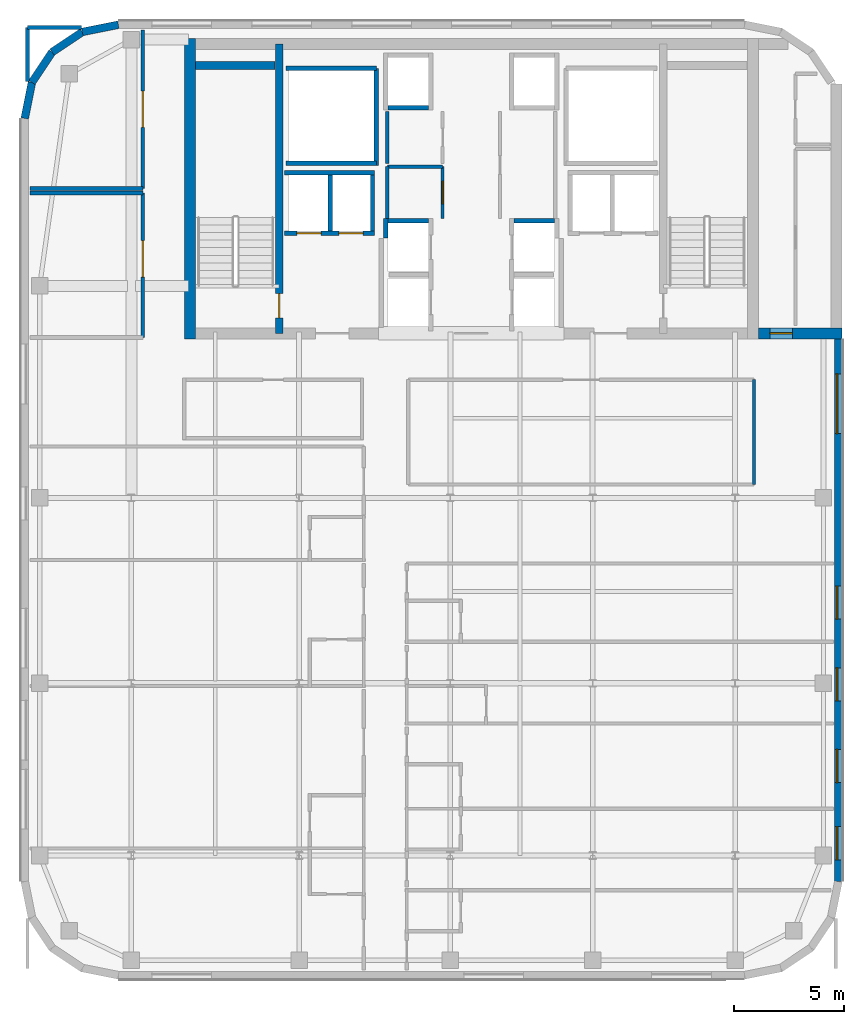
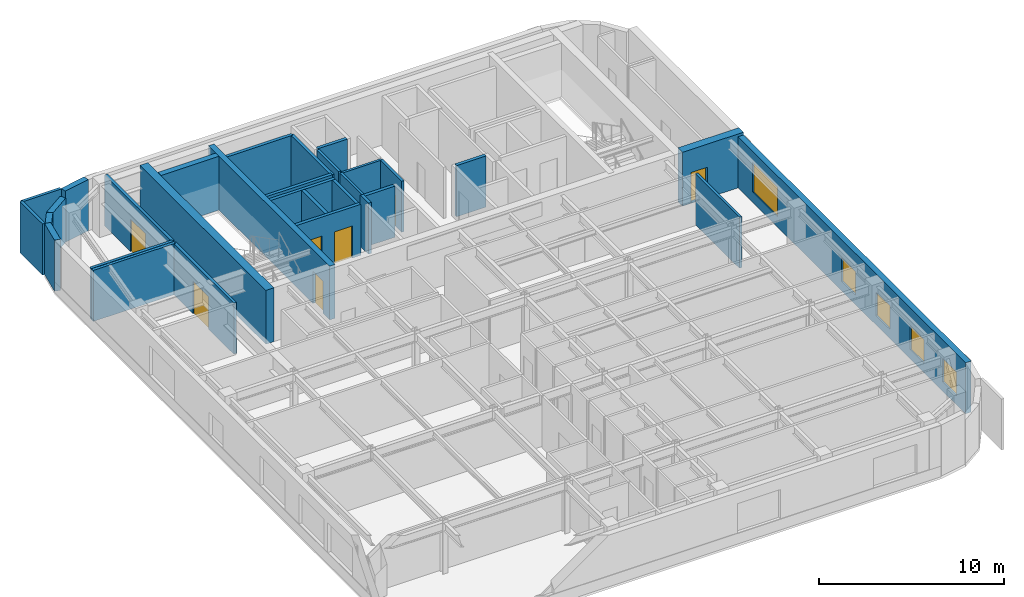
# One storey, part 6 of 12: 31 walls, 7 doors, 5 windows, 12 openings.
"""IFC4 building model written with IfcOpenShell, lengths in metres."""

import ifcopenshell
import ifcopenshell.guid

model = None  # the IFC model being written
_history = None  # IfcOwnerHistory: only IFC2X3 demands one
_inside = {}  # id of a spatial element -> (the spatial element, [elements in it])
_under = {}  # id of a project, library or spatial element -> (it, [spatial elements below it])
_declared = {}  # id of a project -> (the project, [libraries it declares])
_typed = {}  # id of a type object -> (the type object, [elements of that type])
_made_of = {}  # id of a material, layer set ... -> (it, [elements and type objects made of it])


def new_model(schema):
    """Start an empty IFC model of exactly this schema.

    Asked for "IFC4X3", IfcOpenShell would pick the latest addendum, in which some entities
    have other attributes; the version numbers below select the first issue.
    IFC2X3 requires an IfcOwnerHistory on every rooted entity: one is made here for all.
    """
    global model, _history
    if schema == "IFC4X3":
        model = ifcopenshell.file(schema_version=(4, 3, 0, 0))
    else:
        model = ifcopenshell.file(schema=schema)
    _inside.clear()
    _under.clear()
    _declared.clear()
    _typed.clear()
    _made_of.clear()
    _history = None
    if model.schema == "IFC2X3":
        org = make("IfcOrganization", Name="unknown")
        user = make(
            "IfcPersonAndOrganization",
            ThePerson=make("IfcPerson", FamilyName="unknown"),
            TheOrganization=org,
        )
        app = make(
            "IfcApplication",
            ApplicationDeveloper=org,
            Version="unknown",
            ApplicationFullName="unknown",
            ApplicationIdentifier="unknown",
        )
        _history = make(
            "IfcOwnerHistory",
            OwningUser=user,
            OwningApplication=app,
            ChangeAction="ADDED",
            CreationDate=0,
        )
    return model


def make(cls, **values):
    """One entity of the class cls with the attributes given. An attribute that is None is left unset."""
    return model.create_entity(
        cls, **{name: value for name, value in values.items() if value is not None}
    )


def rooted(cls, **values):
    """An entity with a GlobalId (a new one), such as an element, a storey or a relation."""
    return make(cls, GlobalId=ifcopenshell.guid.new(), OwnerHistory=_history, **values)


def si_unit(unit_type, name, prefix=None):
    """IfcSIUnit, for example si_unit("LENGTHUNIT", "METRE", prefix="MILLI")."""
    return make("IfcSIUnit", UnitType=unit_type, Prefix=prefix, Name=name)


def assignment(units):
    """IfcUnitAssignment: the units of a project."""
    return None if units is None else make("IfcUnitAssignment", Units=units)


def point(xyz):
    """IfcCartesianPoint."""
    return None if xyz is None else make("IfcCartesianPoint", Coordinates=xyz)


def direction(xyz):
    """IfcDirection."""
    return None if xyz is None else make("IfcDirection", DirectionRatios=xyz)


def frame(location, z_axis=None, x_axis=None):
    """IfcAxis2Placement3D, a coordinate frame: its origin and axes. An axis left out is left unset."""
    return make(
        "IfcAxis2Placement3D",
        Location=point(location),
        Axis=direction(z_axis),
        RefDirection=direction(x_axis),
    )


def frame_2d(location, x_axis=None):
    """IfcAxis2Placement2D, a coordinate frame in the plane: its origin and x axis."""
    return make(
        "IfcAxis2Placement2D", Location=point(location), RefDirection=direction(x_axis)
    )


def origin():
    """The frame at (0, 0, 0) with its axes left unset."""
    return frame((0.0, 0.0, 0.0))


def place(relative_to, where):
    """IfcLocalPlacement: puts the frame where relative to a parent placement (None: the world)."""
    return make(
        "IfcLocalPlacement", PlacementRelTo=relative_to, RelativePlacement=where
    )


def context(
    kind, dimensions, precision=None, world=None, true_north=None, identifier=None
):
    """IfcGeometricRepresentationContext, for example the 3D "Model" context."""
    return make(
        "IfcGeometricRepresentationContext",
        ContextIdentifier=identifier,
        ContextType=kind,
        CoordinateSpaceDimension=dimensions,
        Precision=precision,
        WorldCoordinateSystem=world,
        TrueNorth=true_north,
    )


def subcontext(parent, identifier, kind, view, scale=None):
    """IfcGeometricRepresentationSubContext, for example "Body" below "Model"."""
    return make(
        "IfcGeometricRepresentationSubContext",
        ContextIdentifier=identifier,
        ContextType=kind,
        ParentContext=parent,
        TargetScale=scale,
        TargetView=view,
    )


def project(units=None, contexts=None):
    """IfcProject with its units and contexts."""
    return rooted(
        "IfcProject",
        Name="project",
        RepresentationContexts=contexts,
        UnitsInContext=assignment(units),
    )


def spatial(cls, under=None, at=None, **own):
    """A site, building, storey or space (cls), placed at a placement, below another one or the project."""
    s = rooted(cls, ObjectPlacement=at, **own)
    if under is not None:
        _under.setdefault(under.id(), (under, []))[1].append(s)
    return s


def profile(cls, at=None, kind="AREA", **sizes):
    """A parametric profile (cls). Its sizes go by their IFC names, for example OverallWidth=200.0."""
    return make(cls, ProfileType=kind, Position=at, **sizes)


def rectangle(**sizes):
    """IfcRectangleProfileDef."""
    return profile("IfcRectangleProfileDef", **sizes)


def extrude(swept, where, along, depth):
    """IfcExtrudedAreaSolid: the profile swept, set in the frame where, extruded along a direction by depth."""
    return make(
        "IfcExtrudedAreaSolid",
        SweptArea=swept,
        Position=where,
        ExtrudedDirection=direction(along),
        Depth=depth,
    )


def shape(context_of_items, identifier, shape_type, items):
    """IfcShapeRepresentation: the items that make up one representation, for example the "Body"."""
    return make(
        "IfcShapeRepresentation",
        ContextOfItems=context_of_items,
        RepresentationIdentifier=identifier,
        RepresentationType=shape_type,
        Items=items,
    )


def source(mapping_origin, context_of_items, identifier, shape_type, items):
    """IfcRepresentationMap: a shape defined once, which mapped items show again and again."""
    return make(
        "IfcRepresentationMap",
        MappingOrigin=mapping_origin,
        MappedRepresentation=shape(context_of_items, identifier, shape_type, items),
    )


def transform(
    local_origin,
    x_axis=None,
    y_axis=None,
    z_axis=None,
    scale=None,
    scale2=None,
    scale3=None,
    uniform=True,
):
    """IfcCartesianTransformationOperator3D, or its non-uniform kind. x_axis, y_axis, z_axis: its Axis1, 2, 3."""
    if uniform:
        return make(
            "IfcCartesianTransformationOperator3D",
            Axis1=direction(x_axis),
            Axis2=direction(y_axis),
            LocalOrigin=point(local_origin),
            Scale=scale,
            Axis3=direction(z_axis),
        )
    return make(
        "IfcCartesianTransformationOperator3DnonUniform",
        Axis1=direction(x_axis),
        Axis2=direction(y_axis),
        LocalOrigin=point(local_origin),
        Scale=scale,
        Axis3=direction(z_axis),
        Scale2=scale2,
        Scale3=scale3,
    )


def mapped(mapping_source, mapping_target):
    """IfcMappedItem: shows the shape of a source again, moved by a transform."""
    return make(
        "IfcMappedItem", MappingSource=mapping_source, MappingTarget=mapping_target
    )


def material(Name=None, Category=None):
    """IfcMaterial."""
    return make("IfcMaterial", Name=Name, Category=Category)


def layer(
    of_material, thickness, ventilated=None, Name=None, Category=None, Priority=None
):
    """IfcMaterialLayer: one layer of a wall or slab, of a material (None: an air gap)."""
    return make(
        "IfcMaterialLayer",
        Material=of_material,
        LayerThickness=thickness,
        IsVentilated=ventilated,
        Name=Name,
        Category=Category,
        Priority=Priority,
    )


def layer_set(layers, Name=None):
    """IfcMaterialLayerSet."""
    return make("IfcMaterialLayerSet", MaterialLayers=layers, LayerSetName=Name)


def made_of(thing, what):
    """Note that an element or type object is made of a material, layer set ...; save() writes the relation."""
    if what is not None:
        _made_of.setdefault(what.id(), (what, []))[1].append(thing)
    return thing


def type_object(cls, material=None, **own):
    """A type object (cls), such as IfcWallType, which elements share."""
    return made_of(rooted(cls, **own), material)


def type_shapes(of_type, sources):
    """Give a type object the sources (RepresentationMaps) that its elements show as mapped items."""
    of_type.RepresentationMaps = sources


def element(
    cls,
    number,
    at=None,
    inside=None,
    cuts=None,
    type_object=None,
    material=None,
    context=None,
    identifier="Body",
    shape_type=None,
    held_by="IfcProductDefinitionShape",
    body=None,
    shapes=None,
    **own,
):
    """One element of the class cls, such as IfcWall. Its Tag is "e" and its number.

    at: its placement. inside: the storey or other place that contains it. cuts: it is an
    opening in that element (IfcRelVoidsElement). A single representation is given by context,
    identifier, shape_type and body (its items); several are given by shapes. held_by: the class
    of the entity that holds the representations. save() writes the other relations.
    """
    e = rooted(cls, Tag="e%d" % number, ObjectPlacement=at, **own)
    if body is not None:
        shapes = [shape(context, identifier, shape_type, body)]
    if shapes is not None:
        e.Representation = make(held_by, Representations=shapes)
    if inside is not None:
        _inside.setdefault(inside.id(), (inside, []))[1].append(e)
    if cuts is not None:
        rooted(
            "IfcRelVoidsElement", RelatingBuildingElement=cuts, RelatedOpeningElement=e
        )
    if type_object is not None:
        _typed.setdefault(type_object.id(), (type_object, []))[1].append(e)
    return made_of(e, material)


def fill(opening, filler):
    """IfcRelFillsElement: the door or window that sits in an opening."""
    return rooted(
        "IfcRelFillsElement",
        RelatingOpeningElement=opening,
        RelatedBuildingElement=filler,
    )


def aggregate(whole, parts):
    """IfcRelAggregates: a whole, such as a stair, and the parts it consists of."""
    return rooted("IfcRelAggregates", RelatingObject=whole, RelatedObjects=parts)


def save(model, path):
    """Write the relations noted so far, then the file.

    IfcRelAggregates (storeys below a building ...), IfcRelContainedInSpatialStructure (elements
    in a storey), IfcRelDefinesByType, IfcRelAssociatesMaterial and IfcRelDeclares: one each for
    every whole, place, type object, material and project.
    """
    for whole, parts in _under.values():
        aggregate(whole, parts)
    for where, things in _inside.values():
        rooted(
            "IfcRelContainedInSpatialStructure",
            RelatedElements=things,
            RelatingStructure=where,
        )
    for kind, things in _typed.values():
        rooted("IfcRelDefinesByType", RelatedObjects=things, RelatingType=kind)
    for what, things in _made_of.values():
        rooted("IfcRelAssociatesMaterial", RelatedObjects=things, RelatingMaterial=what)
    for by, libraries in _declared.values():
        rooted("IfcRelDeclares", RelatingContext=by, RelatedDefinitions=libraries)
    model.write(path)


model = new_model("IFC4")

# Units and contexts
model_context = context("Model", 3, precision=1e-05, world=origin(), true_north=direction((0.0, 1.0)))
body_context = subcontext(model_context, "Body", "Model", "MODEL_VIEW")
ifc_project = project(units=[si_unit("LENGTHUNIT", "METRE"), si_unit("AREAUNIT", "SQUARE_METRE"), si_unit("VOLUMEUNIT", "CUBIC_METRE"), si_unit("PLANEANGLEUNIT", "RADIAN"), si_unit("MASSUNIT", "GRAM", prefix="KILO")], contexts=[model_context])

# Site, building, storey
site_placement = place(None, origin())
site = spatial("IfcSite", under=ifc_project, at=site_placement, CompositionType="ELEMENT")
building_placement = place(site_placement, origin())
building = spatial("IfcBuilding", under=site, at=building_placement, Name="Tolvann Quenvar Hotel", CompositionType="ELEMENT")
storey_placement = place(building_placement, frame((0.0, 0.0, 213.25)))
storey = spatial("IfcBuildingStorey", under=building, at=storey_placement, Name="L56", CompositionType="ELEMENT", Elevation=213.25)

# Wall
ifc_material_1 = material(Name="Concrete N50 (50 MPa)", Category="concrete")
ifc_layer_1 = layer(ifc_material_1, 0.5)
ifc_layer_set_1 = layer_set([ifc_layer_1], Name="Concrete N50 (50 MPa)")
wall_type_1 = type_object("IfcWallType", Name="WALL_CORE_500", PredefinedType="SHEAR", material=ifc_layer_set_1)
wall_1_placement = place(storey_placement, frame((10.25, 31.60009765625, 0.0), z_axis=(0.0, 0.0, 1.0), x_axis=(0.0, 1.0, 0.0)))
element("IfcWall", 1, at=wall_1_placement, inside=storey, type_object=wall_type_1, Name="Rear Core W Shear Wall (L56)", PredefinedType="SHEAR", context=body_context, shape_type="SweptSolid", body=[
    extrude(rectangle(XDim=13.599853515625, YDim=0.5, at=frame_2d((6.7998046875, 0.0))), origin(), (0.0, 0.0, 1.0), 3.550048828125),
])

# Wall, opening, door
wall_2_placement = place(storey_placement, frame((36.0, 31.85009765625, 0.0), z_axis=(0.0, 0.0, 1.0), x_axis=(1.0, 0.0, 0.0)))
wall_2 = element("IfcWall", 2, at=wall_2_placement, inside=storey, type_object=wall_type_1, Name="Core East Annex Shear Wall ANN-S (L56)", PredefinedType="SHEAR", context=body_context, shape_type="SweptSolid", body=[
    extrude(rectangle(XDim=3.800048828125, YDim=0.5, at=frame_2d((1.89990234375, 0.0))), origin(), (0.0, 0.0, 1.0), 3.550048828125),
])
opening_1_placement = place(wall_2_placement, frame((1.5400390625, 0.0, 0.0), z_axis=(0.0, 0.0, 1.0), x_axis=(-1.0, 0.0, 0.0)))
opening_1 = element("IfcOpeningElement", 3, at=opening_1_placement, cuts=wall_2, Name="Opening HD-01", PredefinedType="OPENING", context=body_context, shape_type="SweptSolid", body=[
    extrude(rectangle(XDim=1.02001953125, YDim=2.030029296875, at=frame_2d((0.510009765625, 1.01513671875))), frame((0.0, 0.260009765625, 0.0), z_axis=(0.0, -1.0, 0.0), x_axis=(1.0, 0.0, 0.0)), (0.0, 0.0, 1.0), 0.52001953125),
])
ifc_material_2 = material(Name="Pressed galvanised steel fire-rated door set", Category="steel")
door_type_1 = type_object("IfcDoorType", Name="DOOR_BOH_1020", OperationType="NOTDEFINED", PredefinedType="DOOR", material=ifc_material_2)
shared_shape_1 = source(origin(), body_context, "Body", "SweptSolid", [
    extrude(rectangle(XDim=1.02001953125, YDim=2.030029296875, at=frame_2d((0.510009765625, 1.01513671875))), frame((0.0, 0.02490234375, 0.0), z_axis=(0.0, -1.0, 0.0), x_axis=(1.0, 0.0, 0.0)), (0.0, 0.0, 1.0), 0.050048828125),
])
type_shapes(door_type_1, [shared_shape_1])
door_1_placement = place(opening_1_placement, origin())
door_1 = element("IfcDoor", 4, at=door_1_placement, inside=storey, type_object=door_type_1, Name="Housekeeping Annex Fire Door (L56)", OperationType="SINGLE_SWING_LEFT", OverallHeight=2.030029296875, OverallWidth=1.02001953125, PredefinedType="DOOR", context=body_context, shape_type="MappedRepresentation", body=[
    mapped(shared_shape_1, transform((0.0, 0.0, 0.0), x_axis=(1.0, 0.0, 0.0), y_axis=(0.0, 1.0, 0.0), z_axis=(0.0, 0.0, 1.0), scale=1.0)),
])
fill(opening_1, door_1)

ifc_material_3 = material(Name="Concrete S65 (65 MPa)", Category="concrete")
ifc_layer_2 = layer(ifc_material_3, 0.35009765625)
ifc_layer_set_2 = layer_set([ifc_layer_2], Name="Concrete S65 (65 MPa)")
wall_type_2 = type_object("IfcWallType", Name="WALL_CORE_INT_350", PredefinedType="SHEAR", material=ifc_layer_set_2)
wall_3_placement = place(storey_placement, frame((14.300048828125, 31.85009765625, 0.0), z_axis=(0.0, 0.0, 1.0), x_axis=(0.0, 1.0, 0.0)))
wall_3 = element("IfcWall", 5, at=wall_3_placement, inside=storey, type_object=wall_type_2, Name="Core Internal Web Shear Wall WEB-W (L56)", PredefinedType="SHEAR", context=body_context, shape_type="SweptSolid", body=[
    extrude(rectangle(XDim=13.099853515625, YDim=0.35009765625, at=frame_2d((6.5498046875, 0.0))), origin(), (0.0, 0.0, 1.0), 3.550048828125),
])
opening_2_placement = place(wall_3_placement, frame((0.699951171875, 0.0, 0.0)))
opening_2 = element("IfcOpeningElement", 6, at=opening_2_placement, cuts=wall_3, Name="Opening FD-120", PredefinedType="OPENING", context=body_context, shape_type="SweptSolid", body=[
    extrude(rectangle(XDim=1.10009765625, YDim=2.1201171875, at=frame_2d((0.550048828125, 1.06005859375))), frame((0.0, 0.18505859375, 0.0), z_axis=(0.0, -1.0, 0.0), x_axis=(1.0, 0.0, 0.0)), (0.0, 0.0, 1.0), 0.3701171875),
])
door_type_2 = type_object("IfcDoorType", Name="DOOR_FIRE_STAIR_1100", OperationType="NOTDEFINED", PredefinedType="DOOR", material=ifc_material_2)
shared_shape_2 = source(origin(), body_context, "Body", "SweptSolid", [
    extrude(rectangle(XDim=1.10009765625, YDim=2.1201171875, at=frame_2d((0.550048828125, 1.06005859375))), frame((0.0, 0.02490234375, 0.0), z_axis=(0.0, -1.0, 0.0), x_axis=(1.0, 0.0, 0.0)), (0.0, 0.0, 1.0), 0.050048828125),
])
type_shapes(door_type_2, [shared_shape_2])
door_2_placement = place(opening_2_placement, origin())
door_2 = element("IfcDoor", 7, at=door_2_placement, inside=storey, type_object=door_type_2, Name="Exit Stair ST-C1 Fire Door (L56)", OperationType="SINGLE_SWING_LEFT", OverallHeight=2.1201171875, OverallWidth=1.10009765625, PredefinedType="DOOR", context=body_context, shape_type="MappedRepresentation", body=[
    mapped(shared_shape_2, transform((0.0, 0.0, 0.0), x_axis=(1.0, 0.0, 0.0), y_axis=(0.0, 1.0, 0.0), z_axis=(0.0, 0.0, 1.0), scale=1.0)),
])
fill(opening_2, door_2)

# Wall
wall_4_placement = place(storey_placement, frame((10.52001953125, 43.97509765625, 0.0), z_axis=(0.0, 0.0, 1.0), x_axis=(1.0, 0.0, 0.0)))
element("IfcWall", 8, at=wall_4_placement, inside=storey, type_object=wall_type_2, Name="Core Stair North Closing Shear Wall STC1-N (L56)", PredefinedType="SHEAR", context=body_context, shape_type="SweptSolid", body=[
    extrude(rectangle(XDim=3.60009765625, YDim=0.35009765625, at=frame_2d((1.800048828125, 0.0))), origin(), (0.0, 0.0, 1.0), 3.550048828125),
])

# Wall, openings, windows
ifc_material_4 = material(Name="Kiln-fired red and buff architectural clay brickwork and terracotta masonry", Category="masonry")
ifc_layer_3 = layer(ifc_material_4, 0.35009765625)
ifc_layer_set_3 = layer_set([ifc_layer_3], Name="Kiln-fired red and buff architectural clay brickwork and terracotta masonry")
wall_type_3 = type_object("IfcWallType", Name="WALL_EXT_BRICK_350", PredefinedType="SOLIDWALL", material=ifc_layer_set_3)
wall_5_placement = place(storey_placement, frame((39.625, 7.01708984375, 0.0), z_axis=(0.0, 0.0, 1.0), x_axis=(0.0, 1.0, 0.0)))
wall_5 = element("IfcWall", 9, at=wall_5_placement, inside=storey, type_object=wall_type_3, Name="Exterior Chicago Brick Wall L56-E09", PredefinedType="SOLIDWALL", context=body_context, shape_type="SweptSolid", body=[
    extrude(rectangle(XDim=24.578857421875, YDim=0.35009765625, at=frame_2d((12.28955078125, 0.0))), origin(), (0.0, 0.0, 1.0), 3.3701171875),
])
opening_3_placement = place(wall_5_placement, frame((20.291015625, 0.0, 0.679931640625)))
opening_3 = element("IfcOpeningElement", 10, at=opening_3_placement, cuts=wall_5, Name="Opening W-04", PredefinedType="OPENING", context=body_context, shape_type="SweptSolid", body=[
    extrude(rectangle(XDim=2.699951171875, YDim=1.949951171875, at=frame_2d((1.35009765625, 0.97509765625))), frame((0.0, 0.18505859375, 0.0), z_axis=(0.0, -1.0, 0.0), x_axis=(1.0, 0.0, 0.0)), (0.0, 0.0, 1.0), 0.3701171875),
])
opening_4_placement = place(wall_5_placement, frame((0.986083984375, 0.0, 0.6201171875)))
opening_4 = element("IfcOpeningElement", 11, at=opening_4_placement, cuts=wall_5, Name="Opening W-08", PredefinedType="OPENING", context=body_context, shape_type="SweptSolid", body=[
    extrude(rectangle(XDim=1.5, YDim=1.550048828125, at=frame_2d((0.75, 0.77490234375))), frame((0.0, 0.18505859375, 0.0), z_axis=(0.0, -1.0, 0.0), x_axis=(1.0, 0.0, 0.0)), (0.0, 0.0, 1.0), 0.3701171875),
])
opening_5_placement = place(wall_5_placement, frame((4.48291015625, 0.0, 0.6201171875)))
opening_5 = element("IfcOpeningElement", 12, at=opening_5_placement, cuts=wall_5, Name="Opening W-08", PredefinedType="OPENING", context=body_context, shape_type="SweptSolid", body=[
    extrude(rectangle(XDim=1.5, YDim=1.550048828125, at=frame_2d((0.75, 0.77490234375))), frame((0.0, 0.18505859375, 0.0), z_axis=(0.0, -1.0, 0.0), x_axis=(1.0, 0.0, 0.0)), (0.0, 0.0, 1.0), 0.3701171875),
])
opening_6_placement = place(wall_5_placement, frame((8.18310546875, 0.0, 0.6201171875)))
opening_6 = element("IfcOpeningElement", 13, at=opening_6_placement, cuts=wall_5, Name="Opening W-08", PredefinedType="OPENING", context=body_context, shape_type="SweptSolid", body=[
    extrude(rectangle(XDim=1.5, YDim=1.550048828125, at=frame_2d((0.75, 0.77490234375))), frame((0.0, 0.18505859375, 0.0), z_axis=(0.0, -1.0, 0.0), x_axis=(1.0, 0.0, 0.0)), (0.0, 0.0, 1.0), 0.3701171875),
])
opening_7_placement = place(wall_5_placement, frame((11.883056640625, 0.0, 0.6201171875)))
opening_7 = element("IfcOpeningElement", 14, at=opening_7_placement, cuts=wall_5, Name="Opening W-08", PredefinedType="OPENING", context=body_context, shape_type="SweptSolid", body=[
    extrude(rectangle(XDim=1.5, YDim=1.550048828125, at=frame_2d((0.75, 0.77490234375))), frame((0.0, 0.18505859375, 0.0), z_axis=(0.0, -1.0, 0.0), x_axis=(1.0, 0.0, 0.0)), (0.0, 0.0, 1.0), 0.3701171875),
])
ifc_material_5 = material(Name="Thermally broken bronze-anodised aluminium frame with double low-E glazing", Category="aluminium")
window_type_1 = type_object("IfcWindowType", Name="WIN_COR_1500x2050", PartitioningType="SINGLE_PANEL", PredefinedType="WINDOW", material=ifc_material_5)
shared_shape_3 = source(origin(), body_context, "Body", "SweptSolid", [
    extrude(rectangle(XDim=1.5, YDim=1.550048828125, at=frame_2d((0.75, 0.77490234375))), frame((0.0, 0.090087890625, 0.0), z_axis=(0.0, -1.0, 0.0), x_axis=(1.0, 0.0, 0.0)), (0.0, 0.0, 1.0), 0.06005859375),
])
type_shapes(window_type_1, [shared_shape_3])
window_1_placement = place(opening_4_placement, origin())
window_1 = element("IfcWindow", 15, at=window_1_placement, inside=storey, type_object=window_type_1, Name="Chicago Window W-08 (EW-L56-E09-WD02)", OverallHeight=1.550048828125, OverallWidth=1.5, PartitioningType="SINGLE_PANEL", PredefinedType="WINDOW", context=body_context, shape_type="MappedRepresentation", body=[
    mapped(shared_shape_3, transform((0.0, 0.0, 0.0), x_axis=(1.0, 0.0, 0.0), y_axis=(0.0, 1.0, 0.0), z_axis=(0.0, 0.0, 1.0), scale=1.0)),
])
fill(opening_4, window_1)
window_2_placement = place(opening_5_placement, origin())
window_2 = element("IfcWindow", 16, at=window_2_placement, inside=storey, type_object=window_type_1, Name="Chicago Window W-08 (EW-L56-E09-WD03)", OverallHeight=1.550048828125, OverallWidth=1.5, PartitioningType="SINGLE_PANEL", PredefinedType="WINDOW", context=body_context, shape_type="MappedRepresentation", body=[
    mapped(shared_shape_3, transform((0.0, 0.0, 0.0), x_axis=(1.0, 0.0, 0.0), y_axis=(0.0, 1.0, 0.0), z_axis=(0.0, 0.0, 1.0), scale=1.0)),
])
fill(opening_5, window_2)
window_3_placement = place(opening_6_placement, origin())
window_3 = element("IfcWindow", 17, at=window_3_placement, inside=storey, type_object=window_type_1, Name="Chicago Window W-08 (EW-L56-E09-WD04)", OverallHeight=1.550048828125, OverallWidth=1.5, PartitioningType="SINGLE_PANEL", PredefinedType="WINDOW", context=body_context, shape_type="MappedRepresentation", body=[
    mapped(shared_shape_3, transform((0.0, 0.0, 0.0), x_axis=(1.0, 0.0, 0.0), y_axis=(0.0, 1.0, 0.0), z_axis=(0.0, 0.0, 1.0), scale=1.0)),
])
fill(opening_6, window_3)
window_4_placement = place(opening_7_placement, origin())
window_4 = element("IfcWindow", 18, at=window_4_placement, inside=storey, type_object=window_type_1, Name="Chicago Window W-08 (EW-L56-E09-WD05)", OverallHeight=1.550048828125, OverallWidth=1.5, PartitioningType="SINGLE_PANEL", PredefinedType="WINDOW", context=body_context, shape_type="MappedRepresentation", body=[
    mapped(shared_shape_3, transform((0.0, 0.0, 0.0), x_axis=(1.0, 0.0, 0.0), y_axis=(0.0, 1.0, 0.0), z_axis=(0.0, 0.0, 1.0), scale=1.0)),
])
fill(opening_7, window_4)
window_type_2 = type_object("IfcWindowType", Name="WIN_STE_2700x2150", PartitioningType="TRIPLE_PANEL_HORIZONTAL", PredefinedType="WINDOW", material=ifc_material_5)
shared_shape_4 = source(origin(), body_context, "Body", "SweptSolid", [
    extrude(rectangle(XDim=2.699951171875, YDim=1.949951171875, at=frame_2d((1.35009765625, 0.97509765625))), frame((0.0, 0.090087890625, 0.0), z_axis=(0.0, -1.0, 0.0), x_axis=(1.0, 0.0, 0.0)), (0.0, 0.0, 1.0), 0.06005859375),
])
type_shapes(window_type_2, [shared_shape_4])
window_5_placement = place(opening_3_placement, origin())
window_5 = element("IfcWindow", 19, at=window_5_placement, inside=storey, type_object=window_type_2, Name="Chicago Window W-04 (EW-L56-E09-W01)", OverallHeight=1.949951171875, OverallWidth=2.699951171875, PartitioningType="TRIPLE_PANEL_HORIZONTAL", PredefinedType="WINDOW", context=body_context, shape_type="MappedRepresentation", body=[
    mapped(shared_shape_4, transform((0.0, 0.0, 0.0), x_axis=(1.0, 0.0, 0.0), y_axis=(0.0, 1.0, 0.0), z_axis=(0.0, 0.0, 1.0), scale=1.0)),
])
fill(opening_3, window_5)

# Walls
wall_6_placement = place(storey_placement, frame((7.01708984375, 45.824951171875, 0.0), z_axis=(0.0, 0.0, 1.0), x_axis=(-0.980788844421, -0.195072403631, 0.0)))
element("IfcWall", 20, at=wall_6_placement, inside=storey, type_object=wall_type_3, Name="Exterior Chicago Brick Wall L56-E15", PredefinedType="SOLIDWALL", context=body_context, shape_type="SweptSolid", body=[
    extrude(rectangle(XDim=1.66455078125, YDim=0.35009765625, at=frame_2d((0.832275390625, 0.0))), origin(), (0.0, 0.0, 1.0), 3.3701171875),
])
for number, where, z_axis, x_axis, name in (
    (21, (5.384521484375, 45.500244140625, 0.0), (0.0, 0.0, 1.0), (-0.831502623162, -0.555520825599, 0.0), "Exterior Chicago Brick Wall L56-E16"),
    (22, (4.014892578125, 44.585205078125, 0.0), (0.0, 0.0, 1.0), (-0.555623290322, -0.831434158098, 0.0), "Exterior Chicago Brick Wall L56-E17"),
):
    element("IfcWall", number, at=place(storey_placement, frame(where, z_axis=z_axis, x_axis=x_axis)), inside=storey, type_object=wall_type_3, Name=name, PredefinedType="SOLIDWALL", context=body_context, shape_type="SweptSolid", body=[
        extrude(rectangle(XDim=1.647216796875, YDim=0.35009765625, at=frame_2d((0.82373046875, 0.0))), origin(), (0.0, 0.0, 1.0), 2.89990234375),
    ])
wall_7_placement = place(storey_placement, frame((3.099609375, 43.215576171875, 0.0), z_axis=(0.0, 0.0, 1.0), x_axis=(-0.195044345786, -0.980794424524, 0.0)))
element("IfcWall", 23, at=wall_7_placement, inside=storey, type_object=wall_type_3, Name="Exterior Chicago Brick Wall L56-E18", PredefinedType="SOLIDWALL", context=body_context, shape_type="SweptSolid", body=[
    extrude(rectangle(XDim=1.664794921875, YDim=0.35009765625, at=frame_2d((0.83251953125, 0.0))), origin(), (0.0, 0.0, 1.0), 3.3701171875),
])
ifc_material_6 = material(Name="Acoustic twin-stud fire-rated gypsum plasterboard partition")
ifc_layer_4 = layer(ifc_material_6, 0.179931640625)
ifc_layer_set_4 = layer_set([ifc_layer_4], Name="Acoustic twin-stud fire-rated gypsum plasterboard partition")
wall_type_4 = type_object("IfcWallType", Name="WALL_PART_ACOUSTIC_180", PredefinedType="PARTITIONING", material=ifc_layer_set_4)
wall_8_placement = place(storey_placement, frame((3.0048828125, 38.199951171875, 0.0), z_axis=(0.0, 0.0, 1.0), x_axis=(1.0, 0.0, 0.0)))
element("IfcWall", 24, at=wall_8_placement, inside=storey, type_object=wall_type_4, Name="Interior Partition PT-SPC-L56-SAL-N", PredefinedType="PARTITIONING", context=body_context, shape_type="SweptSolid", body=[
    extrude(rectangle(XDim=5.115234375, YDim=0.179931640625, at=frame_2d((2.5576171875, 0.0))), origin(), (0.0, 0.0, 1.0), 3.3701171875),
])

# Wall, opening, door
wall_9_placement = place(storey_placement, frame((8.1201171875, 31.64990234375, 0.0), z_axis=(0.0, 0.0, 1.0), x_axis=(0.0, 1.0, 0.0)))
wall_9 = element("IfcWall", 25, at=wall_9_placement, inside=storey, type_object=wall_type_4, Name="Interior Partition PT-SPC-L56-SAL-E", PredefinedType="PARTITIONING", context=body_context, shape_type="SweptSolid", body=[
    extrude(rectangle(XDim=6.550048828125, YDim=0.179931640625, at=frame_2d((3.27490234375, 0.0))), origin(), (0.0, 0.0, 1.0), 3.3701171875),
])
opening_8_placement = place(wall_9_placement, frame((2.75, 0.0, 0.0)))
opening_8 = element("IfcOpeningElement", 26, at=opening_8_placement, cuts=wall_9, Name="Opening AD-01", PredefinedType="OPENING", context=body_context, shape_type="SweptSolid", body=[
    extrude(rectangle(XDim=1.64990234375, YDim=2.14990234375, at=frame_2d((0.824951171875, 1.074951171875))), frame((0.0, 0.10009765625, 0.0), z_axis=(0.0, -1.0, 0.0), x_axis=(1.0, 0.0, 0.0)), (0.0, 0.0, 1.0), 0.199951171875),
])
ifc_material_7 = material(Name="Solid-core American oak acoustic fire door leaf in steel frame", Category="steel")
door_type_3 = type_object("IfcDoorType", Name="DOOR_SALON_1650", OperationType="NOTDEFINED", PredefinedType="DOOR", material=ifc_material_7)
shared_shape_5 = source(origin(), body_context, "Body", "SweptSolid", [
    extrude(rectangle(XDim=1.64990234375, YDim=2.14990234375, at=frame_2d((0.824951171875, 1.074951171875))), frame((0.0, 0.02490234375, 0.0), z_axis=(0.0, -1.0, 0.0), x_axis=(1.0, 0.0, 0.0)), (0.0, 0.0, 1.0), 0.050048828125),
])
type_shapes(door_type_3, [shared_shape_5])
door_3_placement = place(opening_8_placement, origin())
door_3 = element("IfcDoor", 27, at=door_3_placement, inside=storey, type_object=door_type_3, Name="Interior Door DOOR-SPC-L56-SAL", OperationType="DOUBLE_DOOR_SINGLE_SWING", OverallHeight=2.14990234375, OverallWidth=1.64990234375, PredefinedType="DOOR", context=body_context, shape_type="MappedRepresentation", body=[
    mapped(shared_shape_5, transform((0.0, 0.0, 0.0), x_axis=(1.0, 0.0, 0.0), y_axis=(0.0, 1.0, 0.0), z_axis=(0.0, 0.0, 1.0), scale=1.0)),
])
fill(opening_8, door_3)

# Walls
wall_10_placement = place(storey_placement, frame((3.0048828125, 38.39990234375, 0.0), z_axis=(0.0, 0.0, 1.0), x_axis=(1.0, 0.0, 0.0)))
element("IfcWall", 28, at=wall_10_placement, inside=storey, type_object=wall_type_4, Name="Interior Partition PT-SPC-L56-STD-S", PredefinedType="PARTITIONING", context=body_context, shape_type="SweptSolid", body=[
    extrude(rectangle(XDim=5.115234375, YDim=0.179931640625, at=frame_2d((2.5576171875, 0.0))), origin(), (0.0, 0.0, 1.0), 3.3701171875),
])
for number, where, z_axis, x_axis, name in (
    (29, (2.89990234375, 45.699951171875, 0.0), (0.0, 0.0, 1.0), (1.0, 0.0, 0.0), "Interior Partition PT-SPC-L56-STD-N"),
    (30, (2.89990234375, 43.2548828125, 0.0), (0.0, 0.0, 1.0), (0.0, 1.0, 0.0), "Interior Partition PT-SPC-L56-STD-W"),
):
    element("IfcWall", number, at=place(storey_placement, frame(where, z_axis=z_axis, x_axis=x_axis)), inside=storey, type_object=wall_type_4, Name=name, PredefinedType="PARTITIONING", context=body_context, shape_type="SweptSolid", body=[
        extrude(rectangle(XDim=2.445068359375, YDim=0.179931640625, at=frame_2d((1.22265625, 0.0))), origin(), (0.0, 0.0, 1.0), 3.3701171875),
    ])

# Wall, opening, door
wall_11_placement = place(storey_placement, frame((8.1201171875, 38.39990234375, 0.0), z_axis=(0.0, 0.0, 1.0), x_axis=(0.0, 1.0, 0.0)))
wall_11 = element("IfcWall", 31, at=wall_11_placement, inside=storey, type_object=wall_type_4, Name="Interior Partition PT-SPC-L56-STD-E", PredefinedType="PARTITIONING", context=body_context, shape_type="SweptSolid", body=[
    extrude(rectangle(XDim=7.195068359375, YDim=0.179931640625, at=frame_2d((3.59765625, 0.0))), origin(), (0.0, 0.0, 1.0), 3.3701171875),
])
opening_9_placement = place(wall_11_placement, frame((2.7724609375, 0.0, 0.0)))
opening_9 = element("IfcOpeningElement", 32, at=opening_9_placement, cuts=wall_11, Name="Opening AD-01", PredefinedType="OPENING", context=body_context, shape_type="SweptSolid", body=[
    extrude(rectangle(XDim=1.64990234375, YDim=2.14990234375, at=frame_2d((0.824951171875, 1.074951171875))), frame((0.0, 0.10009765625, 0.0), z_axis=(0.0, -1.0, 0.0), x_axis=(1.0, 0.0, 0.0)), (0.0, 0.0, 1.0), 0.199951171875),
])
door_4_placement = place(opening_9_placement, origin())
door_4 = element("IfcDoor", 33, at=door_4_placement, inside=storey, type_object=door_type_3, Name="Interior Door DOOR-SPC-L56-STD", OperationType="DOUBLE_DOOR_SINGLE_SWING", OverallHeight=2.14990234375, OverallWidth=1.64990234375, PredefinedType="DOOR", context=body_context, shape_type="MappedRepresentation", body=[
    mapped(shared_shape_5, transform((0.0, 0.0, 0.0), x_axis=(1.0, 0.0, 0.0), y_axis=(0.0, 1.0, 0.0), z_axis=(0.0, 0.0, 1.0), scale=1.0)),
])
fill(opening_9, door_4)

ifc_layer_5 = layer(ifc_material_6, 0.14990234375)
ifc_layer_set_5 = layer_set([ifc_layer_5], Name="Acoustic twin-stud fire-rated gypsum plasterboard partition")
wall_type_5 = type_object("IfcWallType", Name="WALL_PART_SUITE_150", PredefinedType="PARTITIONING", material=ifc_layer_set_5)
wall_12_placement = place(storey_placement, frame((21.699951171875, 37.050048828125, 0.0), z_axis=(0.0, 0.0, 1.0), x_axis=(0.0, 1.0, 0.0)))
wall_12 = element("IfcWall", 34, at=wall_12_placement, inside=storey, type_object=wall_type_5, Name="Interior Partition PT-SPC-L56-RECPM-1-ENT", PredefinedType="PARTITIONING", context=body_context, shape_type="SweptSolid", body=[
    extrude(rectangle(XDim=2.349853515625, YDim=0.14990234375, at=frame_2d((1.1748046875, 0.0))), origin(), (0.0, 0.0, 1.0), 3.3701171875),
])
opening_10_placement = place(wall_12_placement, frame((0.6650390625, 0.0, 0.0)))
opening_10 = element("IfcOpeningElement", 35, at=opening_10_placement, cuts=wall_12, Name="Opening HD-01", PredefinedType="OPENING", context=body_context, shape_type="SweptSolid", body=[
    extrude(rectangle(XDim=1.02001953125, YDim=2.030029296875, at=frame_2d((0.510009765625, 1.01513671875))), frame((0.0, 0.0849609375, 0.0), z_axis=(0.0, -1.0, 0.0), x_axis=(1.0, 0.0, 0.0)), (0.0, 0.0, 1.0), 0.169921875),
])
door_5_placement = place(opening_10_placement, origin())
door_5 = element("IfcDoor", 36, at=door_5_placement, inside=storey, type_object=door_type_1, Name="Interior Door DOOR-SPC-L56-RECPM-1", OperationType="SINGLE_SWING_LEFT", OverallHeight=2.030029296875, OverallWidth=1.02001953125, PredefinedType="DOOR", context=body_context, shape_type="MappedRepresentation", body=[
    mapped(shared_shape_1, transform((0.0, 0.0, 0.0), x_axis=(1.0, 0.0, 0.0), y_axis=(0.0, 1.0, 0.0), z_axis=(0.0, 0.0, 1.0), scale=1.0)),
])
fill(opening_10, door_5)

# Walls
wall_13_placement = place(storey_placement, frame((19.199951171875, 39.39990234375, 0.0), z_axis=(0.0, 0.0, 1.0), x_axis=(1.0, 0.0, 0.0)))
element("IfcWall", 37, at=wall_13_placement, inside=storey, type_object=wall_type_5, Name="Interior Partition PT-SPC-L56-RECPM-1-N", PredefinedType="PARTITIONING", context=body_context, shape_type="SweptSolid", body=[
    extrude(rectangle(XDim=2.5, YDim=0.14990234375, at=frame_2d((1.25, 0.0))), origin(), (0.0, 0.0, 1.0), 3.3701171875),
])
wall_14_placement = place(storey_placement, frame((19.199951171875, 37.0400390625, 0.0), z_axis=(0.0, 0.0, 1.0), x_axis=(0.0, 1.0, 0.0)))
element("IfcWall", 38, at=wall_14_placement, inside=storey, type_object=wall_type_5, Name="Interior Partition PT-SPC-L56-RECPM-1-W", PredefinedType="PARTITIONING", context=body_context, shape_type="SweptSolid", body=[
    extrude(rectangle(XDim=2.35986328125, YDim=0.14990234375, at=frame_2d((1.179931640625, 0.0))), origin(), (0.0, 0.0, 1.0), 3.3701171875),
])
wall_15_placement = place(storey_placement, frame((19.199951171875, 39.550048828125, 0.0), z_axis=(0.0, 0.0, 1.0), x_axis=(0.0, 1.0, 0.0)))
element("IfcWall", 39, at=wall_15_placement, inside=storey, type_object=wall_type_5, Name="Interior Partition PT-SPC-L56-RECPM-2-W", PredefinedType="PARTITIONING", context=body_context, shape_type="SweptSolid", body=[
    extrude(rectangle(XDim=2.349853515625, YDim=0.14990234375, at=frame_2d((1.1748046875, 0.0))), origin(), (0.0, 0.0, 1.0), 3.3701171875),
])
wall_16_placement = place(storey_placement, frame((35.800048828125, 25.0, 0.0), z_axis=(0.0, 0.0, 1.0), x_axis=(0.0, 1.0, 0.0)))
element("IfcWall", 40, at=wall_16_placement, inside=storey, type_object=wall_type_5, Name="Interior Partition PT-SPC-L56-LOUNGE-E", PredefinedType="PARTITIONING", context=body_context, shape_type="SweptSolid", body=[
    extrude(rectangle(XDim=4.75, YDim=0.14990234375, at=frame_2d((2.375, 0.0))), origin(), (0.0, 0.0, 1.0), 3.3701171875),
])
ifc_material_8 = material(Name="Concrete N40 (40 MPa)", Category="concrete")
ifc_layer_6 = layer(ifc_material_8, 0.199951171875)
ifc_layer_set_6 = layer_set([ifc_layer_6], Name="Concrete N40 (40 MPa)")
wall_type_6 = type_object("IfcWallType", Name="WALL_SHAFT_200", PredefinedType="SOLIDWALL", material=ifc_layer_set_6)
wall_17_placement = place(storey_placement, frame((18.699951171875, 39.449951171875, 0.0), z_axis=(0.0, 0.0, 1.0), x_axis=(0.0, 1.0, 0.0)))
element("IfcWall", 41, at=wall_17_placement, inside=storey, type_object=wall_type_6, Name="Service Riser W Shaft Wall IN (L56)", PredefinedType="SOLIDWALL", context=body_context, shape_type="SweptSolid", body=[
    extrude(rectangle(XDim=4.400146484375, YDim=0.199951171875, at=frame_2d((2.2001953125, 0.0))), origin(), (0.0, 0.0, 1.0), 3.3701171875),
])
for number, where, z_axis, x_axis, name in (
    (42, (14.60009765625, 39.550048828125, 0.0), (0.0, 0.0, 1.0), (1.0, 0.0, 0.0), "Service Riser W Shaft Wall S (L56)"),
    (43, (14.60009765625, 43.85009765625, 0.0), (0.0, 0.0, 1.0), (1.0, 0.0, 0.0), "Service Riser W Shaft Wall N (L56)"),
):
    element("IfcWall", number, at=place(storey_placement, frame(where, z_axis=z_axis, x_axis=x_axis)), inside=storey, type_object=wall_type_6, Name=name, PredefinedType="SOLIDWALL", context=body_context, shape_type="SweptSolid", body=[
        extrude(rectangle(XDim=4.099853515625, YDim=0.199951171875, at=frame_2d((2.0498046875, 0.0))), origin(), (0.0, 0.0, 1.0), 3.3701171875),
    ])
wall_18_placement = place(storey_placement, frame((19.1298828125, 36.159912109375, 0.0), z_axis=(0.0, 0.0, 1.0), x_axis=(0.0, 1.0, 0.0)))
element("IfcWall", 44, at=wall_18_placement, inside=storey, type_object=wall_type_6, Name="Lift Bank E21.1C1 Hoistway Rear Wall (L56)", PredefinedType="SOLIDWALL", context=body_context, shape_type="SweptSolid", body=[
    extrude(rectangle(XDim=0.880126953125, YDim=0.199951171875, at=frame_2d((0.43994140625, 0.0))), origin(), (0.0, 0.0, 1.0), 3.3701171875),
])
for number, where, z_axis, x_axis, name in (
    (45, (19.22998046875, 36.93994140625, 0.0), (0.0, 0.0, 1.0), (1.0, 0.0, 0.0), "Lift Bank E21.1C1 Hoistway Cheek Wall 2 (L56)"),
    (46, (19.22998046875, 42.06005859375, 0.0), (0.0, 0.0, 1.0), (1.0, 0.0, 0.0), "Lift Bank E21.1C2 Hoistway Cheek Wall 1 (L56)"),
):
    element("IfcWall", number, at=place(storey_placement, frame(where, z_axis=z_axis, x_axis=x_axis)), inside=storey, type_object=wall_type_6, Name=name, PredefinedType="SOLIDWALL", context=body_context, shape_type="SweptSolid", body=[
        extrude(rectangle(XDim=1.840087890625, YDim=0.199951171875, at=frame_2d((0.919921875, 0.0))), origin(), (0.0, 0.0, 1.0), 3.3701171875),
    ])

# Wall, openings, doors
wall_19_placement = place(storey_placement, frame((14.550048828125, 36.3798828125, 0.0), z_axis=(0.0, 0.0, 1.0), x_axis=(1.0, 0.0, 0.0)))
wall_19 = element("IfcWall", 47, at=wall_19_placement, inside=storey, type_object=wall_type_6, Name="Lift Bank SWC1 Hoistway Front Wall (L56)", PredefinedType="SOLIDWALL", context=body_context, shape_type="SweptSolid", body=[
    extrude(rectangle(XDim=4.074951171875, YDim=0.199951171875, at=frame_2d((2.03759765625, 0.0))), origin(), (0.0, 0.0, 1.0), 3.3701171875),
])
opening_11_placement = place(wall_19_placement, frame((0.550048828125, 0.0, 0.0)))
opening_11 = element("IfcOpeningElement", 48, at=opening_11_placement, cuts=wall_19, Name="Opening LD-01", PredefinedType="OPENING", context=body_context, shape_type="SweptSolid", body=[
    extrude(rectangle(XDim=1.10009765625, YDim=2.1201171875, at=frame_2d((0.550048828125, 1.06005859375))), frame((0.0, 0.10986328125, 0.0), z_axis=(0.0, -1.0, 0.0), x_axis=(1.0, 0.0, 0.0)), (0.0, 0.0, 1.0), 0.219970703125),
])
opening_12_placement = place(wall_19_placement, frame((2.449951171875, 0.0, 0.0)))
opening_12 = element("IfcOpeningElement", 49, at=opening_12_placement, cuts=wall_19, Name="Opening LD-01", PredefinedType="OPENING", context=body_context, shape_type="SweptSolid", body=[
    extrude(rectangle(XDim=1.10009765625, YDim=2.1201171875, at=frame_2d((0.550048828125, 1.06005859375))), frame((0.0, 0.10986328125, 0.0), z_axis=(0.0, -1.0, 0.0), x_axis=(1.0, 0.0, 0.0)), (0.0, 0.0, 1.0), 0.219970703125),
])
ifc_material_9 = material(Name="Brushed 316 stainless steel automatic sliding lift landing door", Category="steel")
door_type_4 = type_object("IfcDoorType", Name="DOOR_LIFT_SLIDE_1100", OperationType="NOTDEFINED", PredefinedType="DOOR", material=ifc_material_9)
shared_shape_6 = source(origin(), body_context, "Body", "SweptSolid", [
    extrude(rectangle(XDim=1.10009765625, YDim=2.1201171875, at=frame_2d((0.550048828125, 1.06005859375))), frame((0.0, 0.02490234375, 0.0), z_axis=(0.0, -1.0, 0.0), x_axis=(1.0, 0.0, 0.0)), (0.0, 0.0, 1.0), 0.050048828125),
])
type_shapes(door_type_4, [shared_shape_6])
door_6_placement = place(opening_11_placement, origin())
door_6 = element("IfcDoor", 50, at=door_6_placement, inside=storey, type_object=door_type_4, Name="Lift FF-1 Sliding Landing Door (L56)", OperationType="SLIDING_TO_LEFT", OverallHeight=2.1201171875, OverallWidth=1.10009765625, PredefinedType="DOOR", context=body_context, shape_type="MappedRepresentation", body=[
    mapped(shared_shape_6, transform((0.0, 0.0, 0.0), x_axis=(1.0, 0.0, 0.0), y_axis=(0.0, 1.0, 0.0), z_axis=(0.0, 0.0, 1.0), scale=1.0)),
])
fill(opening_11, door_6)
door_7_placement = place(opening_12_placement, origin())
door_7 = element("IfcDoor", 51, at=door_7_placement, inside=storey, type_object=door_type_4, Name="Lift SV-1 Sliding Landing Door (L56)", OperationType="SLIDING_TO_RIGHT", OverallHeight=2.1201171875, OverallWidth=1.10009765625, PredefinedType="DOOR", context=body_context, shape_type="MappedRepresentation", body=[
    mapped(shared_shape_6, transform((0.0, 0.0, 0.0), x_axis=(1.0, 0.0, 0.0), y_axis=(0.0, 1.0, 0.0), z_axis=(0.0, 0.0, 1.0), scale=1.0)),
])
fill(opening_12, door_7)

# Walls
wall_20_placement = place(storey_placement, frame((14.550048828125, 39.1201171875, 0.0), z_axis=(0.0, 0.0, 1.0), x_axis=(1.0, 0.0, 0.0)))
element("IfcWall", 52, at=wall_20_placement, inside=storey, type_object=wall_type_6, Name="Lift Bank SWC1 Hoistway Rear Wall (L56)", PredefinedType="SOLIDWALL", context=body_context, shape_type="SweptSolid", body=[
    extrude(rectangle(XDim=4.074951171875, YDim=0.199951171875, at=frame_2d((2.03759765625, 0.0))), origin(), (0.0, 0.0, 1.0), 3.3701171875),
])
for number, where, z_axis, x_axis, name in (
    (53, (18.52490234375, 36.47998046875, 0.0), (0.0, 0.0, 1.0), (0.0, 1.0, 0.0), "Lift Bank SWC1 Hoistway Cheek Wall 2 (L56)"),
    (54, (16.612548828125, 36.47998046875, 0.0), (0.0, 0.0, 1.0), (0.0, 1.0, 0.0), "Lift Bank SWC1 Divider Wall 1 (L56)"),
):
    element("IfcWall", number, at=place(storey_placement, frame(where, z_axis=z_axis, x_axis=x_axis)), inside=storey, type_object=wall_type_6, Name=name, PredefinedType="SOLIDWALL", context=body_context, shape_type="SweptSolid", body=[
        extrude(rectangle(XDim=2.5400390625, YDim=0.199951171875, at=frame_2d((1.27001953125, 0.0))), origin(), (0.0, 0.0, 1.0), 3.3701171875),
    ])
wall_21_placement = place(storey_placement, frame((24.929931640625, 36.93994140625, 0.0), z_axis=(0.0, 0.0, 1.0), x_axis=(1.0, 0.0, 0.0)))
element("IfcWall", 55, at=wall_21_placement, inside=storey, type_object=wall_type_6, Name="Lift Bank W24.9C1 Hoistway Cheek Wall 2 (L56)", PredefinedType="SOLIDWALL", context=body_context, shape_type="SweptSolid", body=[
    extrude(rectangle(XDim=1.840087890625, YDim=0.199951171875, at=frame_2d((0.919921875, 0.0))), origin(), (0.0, 0.0, 1.0), 3.3701171875),
])

save(model, "model.ifc")
